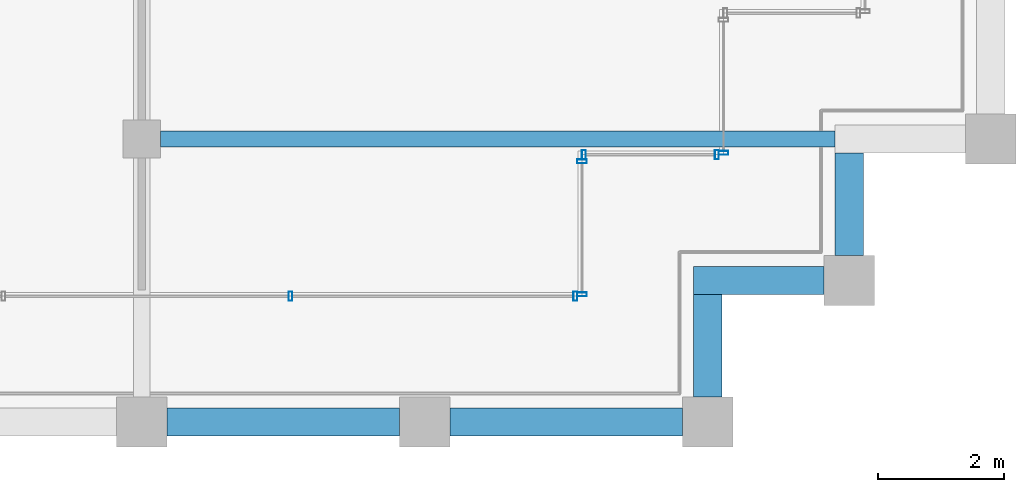
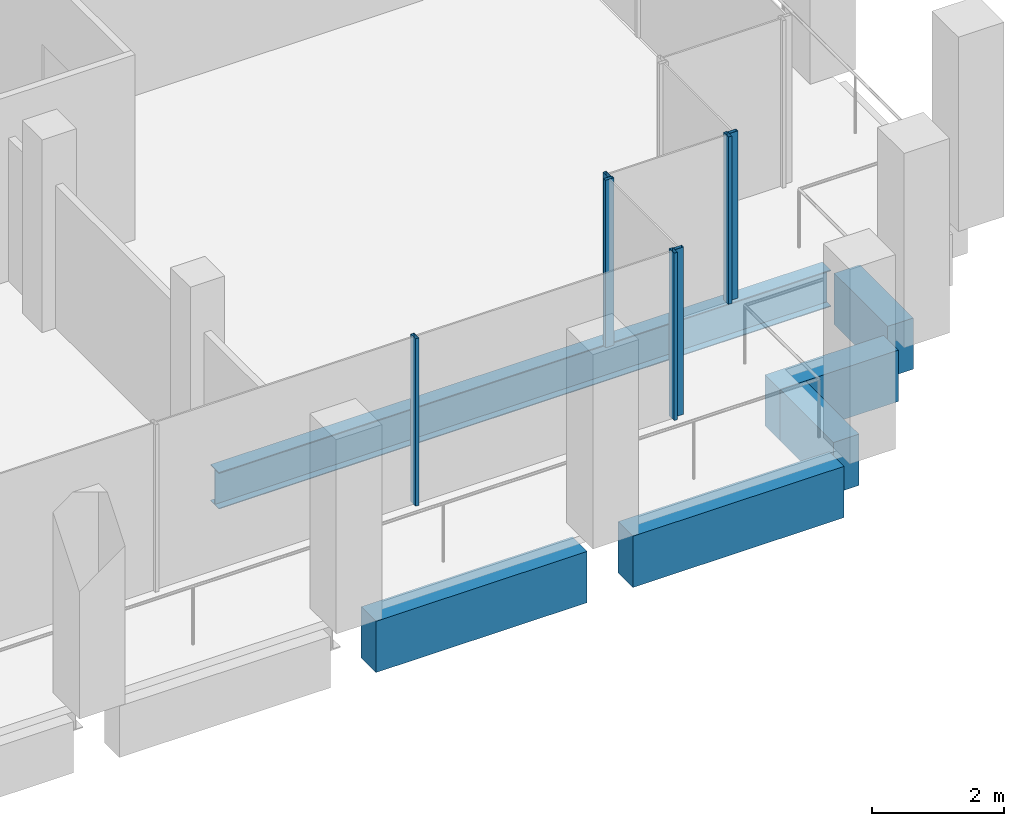
# One storey, part 12 of 30: 7 members, 6 beams, 4 elements without a shape of their own.
"""IFC4 building model written with IfcOpenShell, lengths in metres."""

from ifc_helpers import new_model, si_unit, direction, frame, origin, origin_2d, place, context, subcontext, project, spatial, rectangle, hollow_rectangle, i_section, extrude, material, material_profile, profile_set, type_object, element, aggregate, save


model = new_model("IFC4")

# Units and contexts
model_context = context("Model", 3, precision=1e-05, world=origin(), true_north=direction((0.0, 1.0)))
body_context = subcontext(model_context, "Body", "Model", "MODEL_VIEW")
ifc_project = project(units=[si_unit("LENGTHUNIT", "METRE"), si_unit("AREAUNIT", "SQUARE_METRE"), si_unit("VOLUMEUNIT", "CUBIC_METRE"), si_unit("PLANEANGLEUNIT", "RADIAN"), si_unit("MASSUNIT", "GRAM", prefix="KILO")], contexts=[model_context])

# Site, building, storey
site_placement = place(None, origin())
site = spatial("IfcSite", under=ifc_project, at=site_placement, CompositionType="ELEMENT")
building_placement = place(site_placement, origin())
building = spatial("IfcBuilding", under=site, at=building_placement, Name="Altepetl Exchange Towers", CompositionType="ELEMENT")
storey_placement = place(building_placement, frame((0.0, 0.0, 235.199951171875)))
storey = spatial("IfcBuildingStorey", under=building, at=storey_placement, Name="L60", CompositionType="ELEMENT", Elevation=235.199951171875)

# Beam
ifc_material_1 = material(Name="Steel S355", Category="steel")
ifc_material_profile_1 = material_profile(ifc_material_1, i_section(OverallWidth=0.2529296875, OverallDepth=0.677978515625, WebThickness=0.01171875, FlangeThickness=0.016357421875, at=origin_2d()), Name="W27X84")
ifc_profile_set_1 = profile_set([ifc_material_profile_1], Name="Steel S355")
beam_type_1 = type_object("IfcBeamType", Name="Floor beam W27X84", PredefinedType="BEAM", material=ifc_profile_set_1)
beam_1_placement = place(storey_placement, frame((58.800048828125, 31.5, -0.489013671875), z_axis=(1.0, 0.0, 0.0), x_axis=(0.0, 1.0, 0.0)))
element("IfcBeam", 1, at=beam_1_placement, inside=storey, type_object=beam_type_1, Name="bm:A:L60:006", PredefinedType="BEAM", context=body_context, shape_type="SweptSolid", body=[
    extrude(i_section(OverallWidth=0.2529296875, OverallDepth=0.677978515625, WebThickness=0.01171875, FlangeThickness=0.016357421875, at=origin_2d()), origin(), (0.0, 0.0, 1.0), 10.724853515625),
])

# Curtain wall, members
ifc_material_2 = material(Name="Aluminium 6063-T6 glazing", Category="aluminium")
curtain_wall_type = type_object("IfcCurtainWallType", Name="Loggia glazing system", PredefinedType="NOTDEFINED", material=ifc_material_2)
curtain_wall_1_placement = place(storey_placement, origin())
curtain_wall_1 = element("IfcCurtainWall", 2, at=curtain_wall_1_placement, inside=storey, type_object=curtain_wall_type, Name="CW1 run", PredefinedType="NOTDEFINED")
ifc_material_3 = material(Name="Aluminium 6063-T6", Category="aluminium")
ifc_material_profile_2 = material_profile(ifc_material_3, hollow_rectangle(XDim=0.06005859375, YDim=0.14990234375, WallThickness=0.0029296875, at=origin_2d()), Name="Mullion 60x150 aluminium")
ifc_profile_set_2 = profile_set([ifc_material_profile_2], Name="Aluminium 6063-T6")
member_type = type_object("IfcMemberType", Name="Mullion 60x150 aluminium", PredefinedType="MULLION", material=ifc_profile_set_2)
member_1_placement = place(storey_placement, frame((60.8642578125, 29.0, 0.0)))
member_1 = element("IfcMember", 3, at=member_1_placement, type_object=member_type, Name="MU1 mullion", PredefinedType="MULLION", context=body_context, shape_type="SweptSolid", body=[
    extrude(hollow_rectangle(XDim=0.06005859375, YDim=0.14990234375, WallThickness=0.0029296875, at=origin_2d()), origin(), (0.0, 0.0, 1.0), 3.10009765625),
])
member_2_placement = place(storey_placement, frame((65.39501953125, 29.0, 0.0)))
member_2 = element("IfcMember", 4, at=member_2_placement, type_object=member_type, Name="MU1 mullion", PredefinedType="MULLION", context=body_context, shape_type="SweptSolid", body=[
    extrude(hollow_rectangle(XDim=0.06005859375, YDim=0.14990234375, WallThickness=0.0029296875, at=origin_2d()), origin(), (0.0, 0.0, 1.0), 3.10009765625),
])
aggregate(curtain_wall_1, [member_1, member_2])

curtain_wall_2_placement = place(storey_placement, origin())
curtain_wall_2 = element("IfcCurtainWall", 5, at=curtain_wall_2_placement, inside=storey, type_object=curtain_wall_type, Name="CW1 run", PredefinedType="NOTDEFINED")
member_3_placement = place(storey_placement, frame((65.5, 29.030029296875, 0.0), z_axis=(0.0, 0.0, 1.0), x_axis=(0.0, 1.0, 0.0)))
member_3 = element("IfcMember", 6, at=member_3_placement, type_object=member_type, Name="MU1 mullion", PredefinedType="MULLION", context=body_context, shape_type="SweptSolid", body=[
    extrude(hollow_rectangle(XDim=0.06005859375, YDim=0.14990234375, WallThickness=0.0029296875, at=origin_2d()), origin(), (0.0, 0.0, 1.0), 3.10009765625),
])
member_4_placement = place(storey_placement, frame((65.5, 31.14501953125, 0.0), z_axis=(0.0, 0.0, 1.0), x_axis=(0.0, 1.0, 0.0)))
member_4 = element("IfcMember", 7, at=member_4_placement, type_object=member_type, Name="MU1 mullion", PredefinedType="MULLION", context=body_context, shape_type="SweptSolid", body=[
    extrude(hollow_rectangle(XDim=0.06005859375, YDim=0.14990234375, WallThickness=0.0029296875, at=origin_2d()), origin(), (0.0, 0.0, 1.0), 3.10009765625),
])
aggregate(curtain_wall_2, [member_3, member_4])

curtain_wall_3_placement = place(storey_placement, origin())
curtain_wall_3 = element("IfcCurtainWall", 8, at=curtain_wall_3_placement, inside=storey, type_object=curtain_wall_type, Name="CW1 run", PredefinedType="NOTDEFINED")
member_5_placement = place(storey_placement, frame((65.530029296875, 31.25, 0.0)))
member_5 = element("IfcMember", 9, at=member_5_placement, type_object=member_type, Name="MU1 mullion", PredefinedType="MULLION", context=body_context, shape_type="SweptSolid", body=[
    extrude(hollow_rectangle(XDim=0.06005859375, YDim=0.14990234375, WallThickness=0.0029296875, at=origin_2d()), origin(), (0.0, 0.0, 1.0), 3.10009765625),
])
member_6_placement = place(storey_placement, frame((67.64501953125, 31.25, 0.0)))
member_6 = element("IfcMember", 10, at=member_6_placement, type_object=member_type, Name="MU1 mullion", PredefinedType="MULLION", context=body_context, shape_type="SweptSolid", body=[
    extrude(hollow_rectangle(XDim=0.06005859375, YDim=0.14990234375, WallThickness=0.0029296875, at=origin_2d()), origin(), (0.0, 0.0, 1.0), 3.10009765625),
])
aggregate(curtain_wall_3, [member_5, member_6])

# Curtain wall, member
curtain_wall_4_placement = place(storey_placement, origin())
curtain_wall_4 = element("IfcCurtainWall", 11, at=curtain_wall_4_placement, inside=storey, type_object=curtain_wall_type, Name="CW1 run", PredefinedType="NOTDEFINED")
member_7_placement = place(storey_placement, frame((67.75, 31.280029296875, 0.0), z_axis=(0.0, 0.0, 1.0), x_axis=(0.0, 1.0, 0.0)))
member_7 = element("IfcMember", 12, at=member_7_placement, type_object=member_type, Name="MU1 mullion", PredefinedType="MULLION", context=body_context, shape_type="SweptSolid", body=[
    extrude(hollow_rectangle(XDim=0.06005859375, YDim=0.14990234375, WallThickness=0.0029296875, at=origin_2d()), origin(), (0.0, 0.0, 1.0), 3.10009765625),
])
aggregate(curtain_wall_4, [member_7])

# Beams
ifc_material_4 = material(Name="Concrete C50/60 precast with cantera amarilla facing", Category="concrete")
ifc_material_profile_3 = material_profile(ifc_material_4, rectangle(XDim=0.449951171875, YDim=0.949951171875, at=origin_2d()), Name="450 x 950")
ifc_profile_set_3 = profile_set([ifc_material_profile_3], Name="Concrete C50/60 precast with cantera amarilla facing")
beam_type_2 = type_object("IfcBeamType", Name="Spandrel beam 450x950 cantera amarilla", PredefinedType="SPANDREL", material=ifc_profile_set_3)
for number, where, z_axis, x_axis, name in (
    (13, (58.89990234375, 27.0, -0.625), (1.0, 0.0, 0.0), (0.0, 1.0, 0.0), "sp:A:L60:006"),
    (14, (63.39990234375, 27.0, -0.625), (1.0, 0.0, 0.0), (0.0, 1.0, 0.0), "sp:A:L60:007"),
):
    element("IfcBeam", number, at=place(storey_placement, frame(where, z_axis=z_axis, x_axis=x_axis)), inside=storey, type_object=beam_type_2, Name=name, PredefinedType="SPANDREL", context=body_context, shape_type="SweptSolid", body=[
        extrude(rectangle(XDim=0.449951171875, YDim=0.949951171875, at=origin_2d()), origin(), (0.0, 0.0, 1.0), 3.7001953125),
    ])
beam_2_placement = place(storey_placement, frame((67.5, 27.39990234375, -0.625), z_axis=(0.0, 1.0, 0.0), x_axis=(-1.0, 0.0, 0.0)))
element("IfcBeam", 15, at=beam_2_placement, inside=storey, type_object=beam_type_2, Name="sp:A:L60:008", PredefinedType="SPANDREL", context=body_context, shape_type="SweptSolid", body=[
    extrude(rectangle(XDim=0.449951171875, YDim=0.949951171875, at=origin_2d()), origin(), (0.0, 0.0, 1.0), 1.625),
])
beam_3_placement = place(storey_placement, frame((67.27490234375, 29.25, -0.625), z_axis=(1.0, 0.0, 0.0), x_axis=(0.0, 1.0, 0.0)))
element("IfcBeam", 16, at=beam_3_placement, inside=storey, type_object=beam_type_2, Name="sp:A:L60:009", PredefinedType="SPANDREL", context=body_context, shape_type="SweptSolid", body=[
    extrude(rectangle(XDim=0.449951171875, YDim=0.949951171875, at=origin_2d()), origin(), (0.0, 0.0, 1.0), 2.0751953125),
])
beam_4_placement = place(storey_placement, frame((69.75, 29.64990234375, -0.625), z_axis=(0.0, 1.0, 0.0), x_axis=(-1.0, 0.0, 0.0)))
element("IfcBeam", 17, at=beam_4_placement, inside=storey, type_object=beam_type_2, Name="sp:A:L60:010", PredefinedType="SPANDREL", context=body_context, shape_type="SweptSolid", body=[
    extrude(rectangle(XDim=0.449951171875, YDim=0.949951171875, at=origin_2d()), origin(), (0.0, 0.0, 1.0), 1.625),
])

save(model, "model.ifc")
